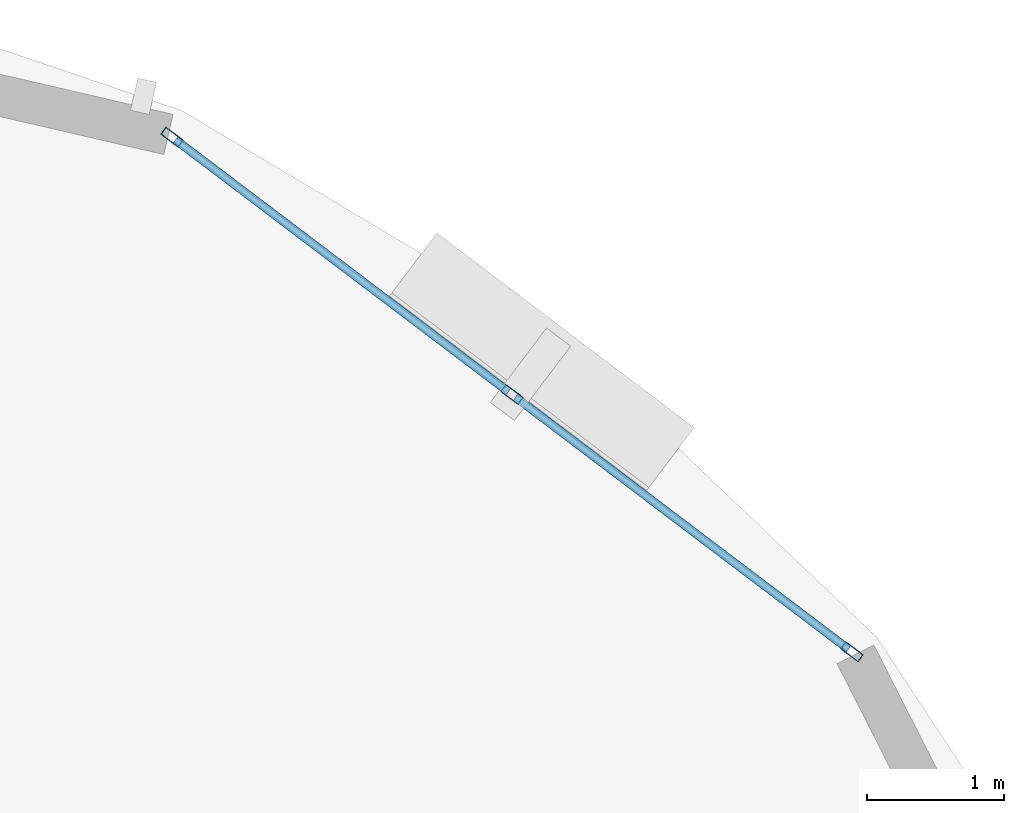
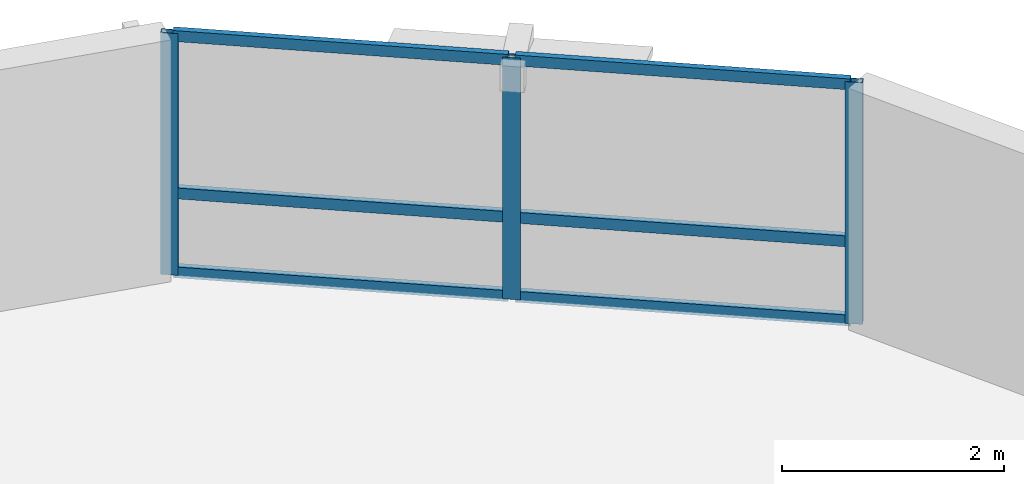
# One storey, part 6 of 12: 9 members, 1 element without a shape of its own.
"""IFC4 building model written with IfcOpenShell, lengths in metres."""

import ifcopenshell
import ifcopenshell.guid

model = None  # the IFC model being written
_history = None  # IfcOwnerHistory: only IFC2X3 demands one
_inside = {}  # id of a spatial element -> (the spatial element, [elements in it])
_under = {}  # id of a project, library or spatial element -> (it, [spatial elements below it])
_declared = {}  # id of a project -> (the project, [libraries it declares])
_typed = {}  # id of a type object -> (the type object, [elements of that type])
_made_of = {}  # id of a material, layer set ... -> (it, [elements and type objects made of it])


def new_model(schema):
    """Start an empty IFC model of exactly this schema.

    Asked for "IFC4X3", IfcOpenShell would pick the latest addendum, in which some entities
    have other attributes; the version numbers below select the first issue.
    IFC2X3 requires an IfcOwnerHistory on every rooted entity: one is made here for all.
    """
    global model, _history
    if schema == "IFC4X3":
        model = ifcopenshell.file(schema_version=(4, 3, 0, 0))
    else:
        model = ifcopenshell.file(schema=schema)
    _inside.clear()
    _under.clear()
    _declared.clear()
    _typed.clear()
    _made_of.clear()
    _history = None
    if model.schema == "IFC2X3":
        org = make("IfcOrganization", Name="unknown")
        user = make(
            "IfcPersonAndOrganization",
            ThePerson=make("IfcPerson", FamilyName="unknown"),
            TheOrganization=org,
        )
        app = make(
            "IfcApplication",
            ApplicationDeveloper=org,
            Version="unknown",
            ApplicationFullName="unknown",
            ApplicationIdentifier="unknown",
        )
        _history = make(
            "IfcOwnerHistory",
            OwningUser=user,
            OwningApplication=app,
            ChangeAction="ADDED",
            CreationDate=0,
        )
    return model


def make(cls, **values):
    """One entity of the class cls with the attributes given. An attribute that is None is left unset."""
    return model.create_entity(
        cls, **{name: value for name, value in values.items() if value is not None}
    )


def rooted(cls, **values):
    """An entity with a GlobalId (a new one), such as an element, a storey or a relation."""
    return make(cls, GlobalId=ifcopenshell.guid.new(), OwnerHistory=_history, **values)


def si_unit(unit_type, name, prefix=None):
    """IfcSIUnit, for example si_unit("LENGTHUNIT", "METRE", prefix="MILLI")."""
    return make("IfcSIUnit", UnitType=unit_type, Prefix=prefix, Name=name)


def assignment(units):
    """IfcUnitAssignment: the units of a project."""
    return None if units is None else make("IfcUnitAssignment", Units=units)


def point(xyz):
    """IfcCartesianPoint."""
    return None if xyz is None else make("IfcCartesianPoint", Coordinates=xyz)


def direction(xyz):
    """IfcDirection."""
    return None if xyz is None else make("IfcDirection", DirectionRatios=xyz)


def frame(location, z_axis=None, x_axis=None):
    """IfcAxis2Placement3D, a coordinate frame: its origin and axes. An axis left out is left unset."""
    return make(
        "IfcAxis2Placement3D",
        Location=point(location),
        Axis=direction(z_axis),
        RefDirection=direction(x_axis),
    )


def frame_2d(location, x_axis=None):
    """IfcAxis2Placement2D, a coordinate frame in the plane: its origin and x axis."""
    return make(
        "IfcAxis2Placement2D", Location=point(location), RefDirection=direction(x_axis)
    )


def origin():
    """The frame at (0, 0, 0) with its axes left unset."""
    return frame((0.0, 0.0, 0.0))


def origin_2d():
    """The frame at (0, 0) in the plane with its x axis left unset."""
    return frame_2d((0.0, 0.0))


def place(relative_to, where):
    """IfcLocalPlacement: puts the frame where relative to a parent placement (None: the world)."""
    return make(
        "IfcLocalPlacement", PlacementRelTo=relative_to, RelativePlacement=where
    )


def context(
    kind, dimensions, precision=None, world=None, true_north=None, identifier=None
):
    """IfcGeometricRepresentationContext, for example the 3D "Model" context."""
    return make(
        "IfcGeometricRepresentationContext",
        ContextIdentifier=identifier,
        ContextType=kind,
        CoordinateSpaceDimension=dimensions,
        Precision=precision,
        WorldCoordinateSystem=world,
        TrueNorth=true_north,
    )


def subcontext(parent, identifier, kind, view, scale=None):
    """IfcGeometricRepresentationSubContext, for example "Body" below "Model"."""
    return make(
        "IfcGeometricRepresentationSubContext",
        ContextIdentifier=identifier,
        ContextType=kind,
        ParentContext=parent,
        TargetScale=scale,
        TargetView=view,
    )


def project(units=None, contexts=None):
    """IfcProject with its units and contexts."""
    return rooted(
        "IfcProject",
        Name="project",
        RepresentationContexts=contexts,
        UnitsInContext=assignment(units),
    )


def spatial(cls, under=None, at=None, **own):
    """A site, building, storey or space (cls), placed at a placement, below another one or the project."""
    s = rooted(cls, ObjectPlacement=at, **own)
    if under is not None:
        _under.setdefault(under.id(), (under, []))[1].append(s)
    return s


def profile(cls, at=None, kind="AREA", **sizes):
    """A parametric profile (cls). Its sizes go by their IFC names, for example OverallWidth=200.0."""
    return make(cls, ProfileType=kind, Position=at, **sizes)


def hollow_rectangle(**sizes):
    """IfcRectangleHollowProfileDef."""
    return profile("IfcRectangleHollowProfileDef", **sizes)


def extrude(swept, where, along, depth):
    """IfcExtrudedAreaSolid: the profile swept, set in the frame where, extruded along a direction by depth."""
    return make(
        "IfcExtrudedAreaSolid",
        SweptArea=swept,
        Position=where,
        ExtrudedDirection=direction(along),
        Depth=depth,
    )


def shape(context_of_items, identifier, shape_type, items):
    """IfcShapeRepresentation: the items that make up one representation, for example the "Body"."""
    return make(
        "IfcShapeRepresentation",
        ContextOfItems=context_of_items,
        RepresentationIdentifier=identifier,
        RepresentationType=shape_type,
        Items=items,
    )


def material(Name=None, Category=None):
    """IfcMaterial."""
    return make("IfcMaterial", Name=Name, Category=Category)


def layer(
    of_material, thickness, ventilated=None, Name=None, Category=None, Priority=None
):
    """IfcMaterialLayer: one layer of a wall or slab, of a material (None: an air gap)."""
    return make(
        "IfcMaterialLayer",
        Material=of_material,
        LayerThickness=thickness,
        IsVentilated=ventilated,
        Name=Name,
        Category=Category,
        Priority=Priority,
    )


def layer_set(layers, Name=None):
    """IfcMaterialLayerSet."""
    return make("IfcMaterialLayerSet", MaterialLayers=layers, LayerSetName=Name)


def material_profile(
    of_material, cross_section, Name=None, Category=None, Priority=None
):
    """IfcMaterialProfile: a cross section and its material."""
    return make(
        "IfcMaterialProfile",
        Name=Name,
        Material=of_material,
        Profile=cross_section,
        Priority=Priority,
        Category=Category,
    )


def profile_set(profiles, Name=None, composite=None):
    """IfcMaterialProfileSet."""
    return make(
        "IfcMaterialProfileSet",
        Name=Name,
        MaterialProfiles=profiles,
        CompositeProfile=composite,
    )


def made_of(thing, what):
    """Note that an element or type object is made of a material, layer set ...; save() writes the relation."""
    if what is not None:
        _made_of.setdefault(what.id(), (what, []))[1].append(thing)
    return thing


def type_object(cls, material=None, **own):
    """A type object (cls), such as IfcWallType, which elements share."""
    return made_of(rooted(cls, **own), material)


def element(
    cls,
    number,
    at=None,
    inside=None,
    cuts=None,
    type_object=None,
    material=None,
    context=None,
    identifier="Body",
    shape_type=None,
    held_by="IfcProductDefinitionShape",
    body=None,
    shapes=None,
    **own,
):
    """One element of the class cls, such as IfcWall. Its Tag is "e" and its number.

    at: its placement. inside: the storey or other place that contains it. cuts: it is an
    opening in that element (IfcRelVoidsElement). A single representation is given by context,
    identifier, shape_type and body (its items); several are given by shapes. held_by: the class
    of the entity that holds the representations. save() writes the other relations.
    """
    e = rooted(cls, Tag="e%d" % number, ObjectPlacement=at, **own)
    if body is not None:
        shapes = [shape(context, identifier, shape_type, body)]
    if shapes is not None:
        e.Representation = make(held_by, Representations=shapes)
    if inside is not None:
        _inside.setdefault(inside.id(), (inside, []))[1].append(e)
    if cuts is not None:
        rooted(
            "IfcRelVoidsElement", RelatingBuildingElement=cuts, RelatedOpeningElement=e
        )
    if type_object is not None:
        _typed.setdefault(type_object.id(), (type_object, []))[1].append(e)
    return made_of(e, material)


def aggregate(whole, parts):
    """IfcRelAggregates: a whole, such as a stair, and the parts it consists of."""
    return rooted("IfcRelAggregates", RelatingObject=whole, RelatedObjects=parts)


def save(model, path):
    """Write the relations noted so far, then the file.

    IfcRelAggregates (storeys below a building ...), IfcRelContainedInSpatialStructure (elements
    in a storey), IfcRelDefinesByType, IfcRelAssociatesMaterial and IfcRelDeclares: one each for
    every whole, place, type object, material and project.
    """
    for whole, parts in _under.values():
        aggregate(whole, parts)
    for where, things in _inside.values():
        rooted(
            "IfcRelContainedInSpatialStructure",
            RelatedElements=things,
            RelatingStructure=where,
        )
    for kind, things in _typed.values():
        rooted("IfcRelDefinesByType", RelatedObjects=things, RelatingType=kind)
    for what, things in _made_of.values():
        rooted("IfcRelAssociatesMaterial", RelatedObjects=things, RelatingMaterial=what)
    for by, libraries in _declared.values():
        rooted("IfcRelDeclares", RelatingContext=by, RelatedDefinitions=libraries)
    model.write(path)


model = new_model("IFC4")

# Units and contexts
model_context = context("Model", 3, precision=1e-05, world=origin(), true_north=direction((0.0, 1.0)))
body_context = subcontext(model_context, "Body", "Model", "MODEL_VIEW")
ifc_project = project(units=[si_unit("LENGTHUNIT", "METRE"), si_unit("AREAUNIT", "SQUARE_METRE"), si_unit("VOLUMEUNIT", "CUBIC_METRE"), si_unit("PLANEANGLEUNIT", "RADIAN"), si_unit("MASSUNIT", "GRAM", prefix="KILO"), si_unit("THERMODYNAMICTEMPERATUREUNIT", "KELVIN"), si_unit("POWERUNIT", "WATT")], contexts=[model_context])

# Site, building, storey
site_placement = place(None, origin())
site = spatial("IfcSite", under=ifc_project, at=site_placement, CompositionType="ELEMENT")
building_placement = place(site_placement, origin())
building = spatial("IfcBuilding", under=site, at=building_placement, Name="Ocrelia Relay Tower", CompositionType="ELEMENT")
storey_placement = place(building_placement, frame((0.0, 0.0, 198.800048828125)))
storey = spatial("IfcBuildingStorey", under=building, at=storey_placement, Name="L48", CompositionType="ELEMENT", Elevation=198.800048828125)

# Curtain wall, members
ifc_material_1 = material(Name="Aluminium and solar-control low-E glass", Category="aluminium")
ifc_layer = layer(ifc_material_1, 0.179931640625, Name="Aluminium and solar-control low-E glass")
ifc_layer_set = layer_set([ifc_layer], Name="Aluminium and solar-control low-E glass")
curtain_wall_type = type_object("IfcCurtainWallType", Name="CW-SYS-Z3-CLOU", PredefinedType="NOTDEFINED", material=ifc_layer_set)
curtain_wall_placement = place(storey_placement, origin())
curtain_wall = element("IfcCurtainWall", 1, at=curtain_wall_placement, inside=storey, type_object=curtain_wall_type, Name="L48 Elliptical Tower Curtain Wall Bay 01", PredefinedType="NOTDEFINED")
ifc_material_2 = material(Name="Anodised bronze aluminium", Category="aluminium")
ifc_material_profile_1 = material_profile(ifc_material_2, hollow_rectangle(XDim=0.06494140625, YDim=0.159912109375, WallThickness=0.0048828125, at=origin_2d()), Name="CW-MUL-160x65")
ifc_profile_set_1 = profile_set([ifc_material_profile_1], Name="Anodised bronze aluminium")
member_type_1 = type_object("IfcMemberType", Name="CW-SYS-Z3-CLOU-MUL", PredefinedType="MULLION", material=ifc_profile_set_1)
member_1_placement = place(storey_placement, frame((51.92578125, 41.029541015625, 0.0), z_axis=(0.0, 0.0, 1.0), x_axis=(-0.603480690615, -0.79737761196, 0.0)))
member_1 = element("IfcMember", 2, at=member_1_placement, type_object=member_type_1, Name="CW-Z3 mullion 1", PredefinedType="MULLION", context=body_context, shape_type="SweptSolid", body=[
    extrude(hollow_rectangle(XDim=0.06494140625, YDim=0.159912109375, WallThickness=0.0048828125, at=origin_2d()), origin(), (0.0, 0.0, 1.0), 2.659912109375),
])
member_2_placement = place(storey_placement, frame((49.44677734375, 42.90576171875, 0.0), z_axis=(0.0, 0.0, 1.0), x_axis=(-0.603480690615, -0.79737761196, 0.0)))
member_2 = element("IfcMember", 3, at=member_2_placement, type_object=member_type_1, Name="CW-Z3 mullion 2", PredefinedType="MULLION", context=body_context, shape_type="SweptSolid", body=[
    extrude(hollow_rectangle(XDim=0.06494140625, YDim=0.159912109375, WallThickness=0.0048828125, at=origin_2d()), origin(), (0.0, 0.0, 1.0), 2.659912109375),
])
member_3_placement = place(storey_placement, frame((46.968017578125, 44.78173828125, 0.0), z_axis=(0.0, 0.0, 1.0), x_axis=(-0.603480690615, -0.79737761196, 0.0)))
member_3 = element("IfcMember", 4, at=member_3_placement, type_object=member_type_1, Name="CW-Z3 mullion 3", PredefinedType="MULLION", context=body_context, shape_type="SweptSolid", body=[
    extrude(hollow_rectangle(XDim=0.06494140625, YDim=0.159912109375, WallThickness=0.0048828125, at=origin_2d()), origin(), (0.0, 0.0, 1.0), 2.659912109375),
])
ifc_material_profile_2 = material_profile(ifc_material_2, hollow_rectangle(XDim=0.06005859375, YDim=0.1201171875, WallThickness=0.0048828125, at=origin_2d()), Name="CW-TRN-120x60")
ifc_profile_set_2 = profile_set([ifc_material_profile_2], Name="Anodised bronze aluminium")
member_type_2 = type_object("IfcMemberType", Name="CW-SYS-Z3-CLOU-TRN", PredefinedType="USERDEFINED", material=ifc_profile_set_2)
member_4_placement = place(storey_placement, frame((51.89990234375, 41.049072265625, 0.030029296875), z_axis=(-0.7973938686, 0.603459210154, 0.0), x_axis=(-0.603459210154, -0.7973938686, 0.0)))
member_4 = element("IfcMember", 5, at=member_4_placement, type_object=member_type_2, Name="CW-Z3 transom 1.1", ObjectType="TRANSOM", PredefinedType="USERDEFINED", context=body_context, shape_type="SweptSolid", body=[
    extrude(hollow_rectangle(XDim=0.06005859375, YDim=0.1201171875, WallThickness=0.0048828125, at=origin_2d()), origin(), (0.0, 0.0, 1.0), 3.0439453125),
])
member_5_placement = place(storey_placement, frame((51.89990234375, 41.049072265625, 0.89990234375), z_axis=(-0.7973938686, 0.603459210154, 0.0), x_axis=(-0.603459210154, -0.7973938686, 0.0)))
member_5 = element("IfcMember", 6, at=member_5_placement, type_object=member_type_2, Name="CW-Z3 transom 1.2", ObjectType="TRANSOM", PredefinedType="USERDEFINED", context=body_context, shape_type="SweptSolid", body=[
    extrude(hollow_rectangle(XDim=0.06005859375, YDim=0.1201171875, WallThickness=0.0048828125, at=origin_2d()), origin(), (0.0, 0.0, 1.0), 3.0439453125),
])
member_6_placement = place(storey_placement, frame((51.89990234375, 41.049072265625, 2.6298828125), z_axis=(-0.7973938686, 0.603459210154, 0.0), x_axis=(-0.603459210154, -0.7973938686, 0.0)))
member_6 = element("IfcMember", 7, at=member_6_placement, type_object=member_type_2, Name="CW-Z3 transom 1.3", ObjectType="TRANSOM", PredefinedType="USERDEFINED", context=body_context, shape_type="SweptSolid", body=[
    extrude(hollow_rectangle(XDim=0.06005859375, YDim=0.1201171875, WallThickness=0.0048828125, at=origin_2d()), origin(), (0.0, 0.0, 1.0), 3.0439453125),
])
member_7_placement = place(storey_placement, frame((49.4208984375, 42.92529296875, 0.030029296875), z_axis=(-0.797364658258, 0.603497805929, 0.0), x_axis=(-0.603497805929, -0.797364658258, 0.0)))
member_7 = element("IfcMember", 8, at=member_7_placement, type_object=member_type_2, Name="CW-Z3 transom 2.1", ObjectType="TRANSOM", PredefinedType="USERDEFINED", context=body_context, shape_type="SweptSolid", body=[
    extrude(hollow_rectangle(XDim=0.06005859375, YDim=0.1201171875, WallThickness=0.0048828125, at=origin_2d()), origin(), (0.0, 0.0, 1.0), 3.043701171875),
])
member_8_placement = place(storey_placement, frame((49.4208984375, 42.92529296875, 0.89990234375), z_axis=(-0.797364658258, 0.603497805929, 0.0), x_axis=(-0.603497805929, -0.797364658258, 0.0)))
member_8 = element("IfcMember", 9, at=member_8_placement, type_object=member_type_2, Name="CW-Z3 transom 2.2", ObjectType="TRANSOM", PredefinedType="USERDEFINED", context=body_context, shape_type="SweptSolid", body=[
    extrude(hollow_rectangle(XDim=0.06005859375, YDim=0.1201171875, WallThickness=0.0048828125, at=origin_2d()), origin(), (0.0, 0.0, 1.0), 3.043701171875),
])
member_9_placement = place(storey_placement, frame((49.4208984375, 42.92529296875, 2.6298828125), z_axis=(-0.797364658258, 0.603497805929, 0.0), x_axis=(-0.603497805929, -0.797364658258, 0.0)))
member_9 = element("IfcMember", 10, at=member_9_placement, type_object=member_type_2, Name="CW-Z3 transom 2.3", ObjectType="TRANSOM", PredefinedType="USERDEFINED", context=body_context, shape_type="SweptSolid", body=[
    extrude(hollow_rectangle(XDim=0.06005859375, YDim=0.1201171875, WallThickness=0.0048828125, at=origin_2d()), origin(), (0.0, 0.0, 1.0), 3.043701171875),
])
aggregate(curtain_wall, [member_1, member_2, member_3, member_4, member_5, member_6, member_7, member_8, member_9])

save(model, "model.ifc")
